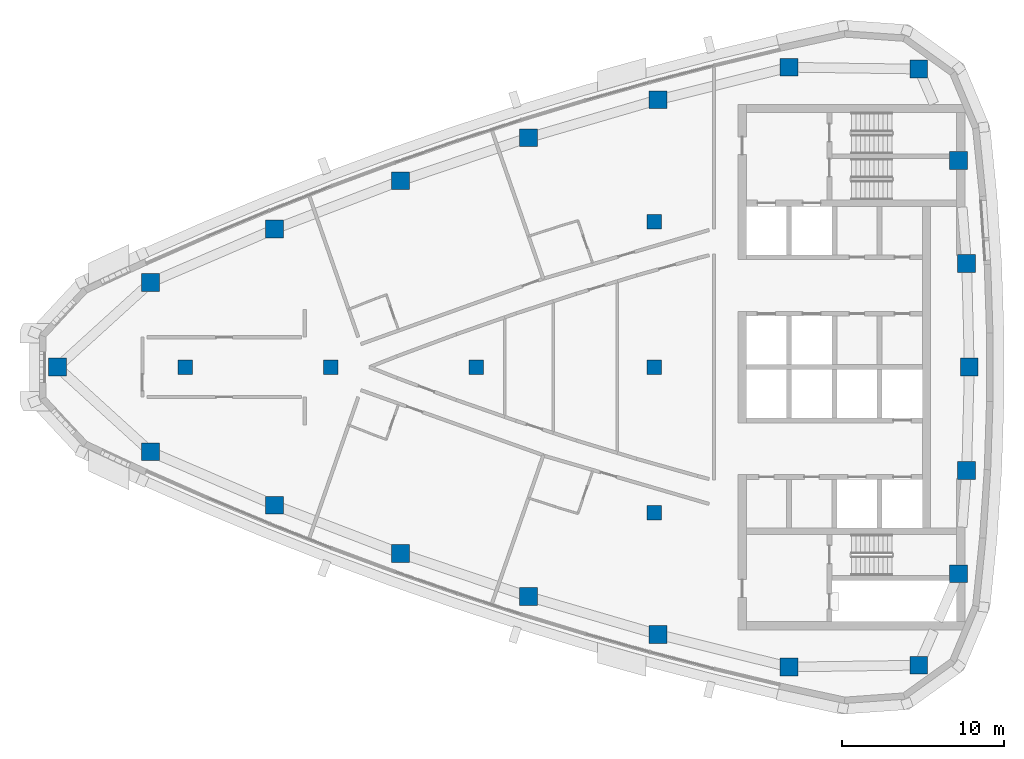
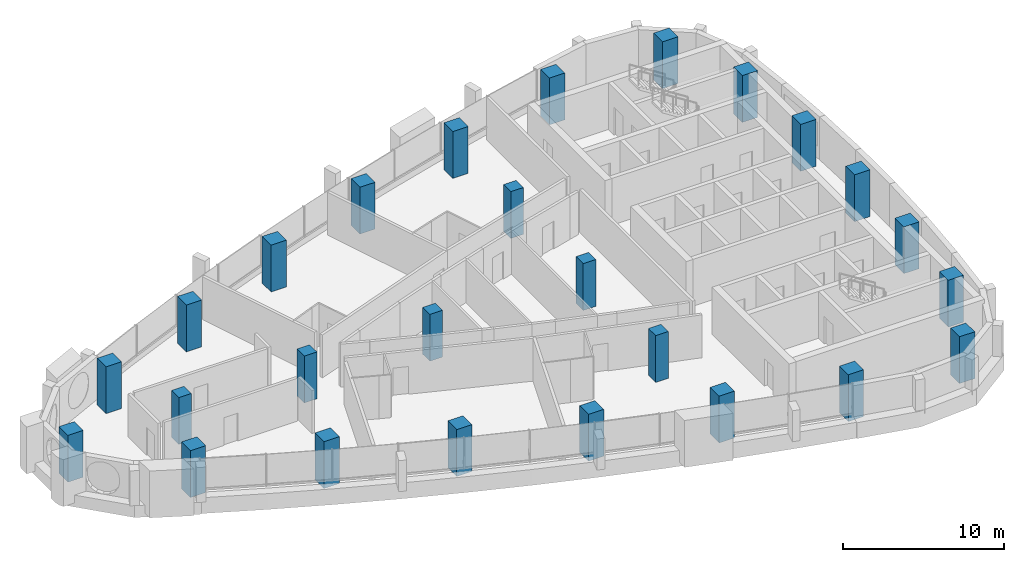
# One storey, part 1 of 14: 26 columns.
"""IFC4 building model written with IfcOpenShell, lengths in metres."""

from ifc_helpers import new_model, si_unit, direction, frame, origin, origin_2d, place, context, subcontext, project, spatial, rectangle, extrude, material, material_profile, profile_set, type_object, element, save


model = new_model("IFC4")

# Units and contexts
model_context = context("Model", 3, precision=1e-05, world=origin(), true_north=direction((0.0, 1.0)))
body_context = subcontext(model_context, "Body", "Model", "MODEL_VIEW")
ifc_project = project(units=[si_unit("LENGTHUNIT", "METRE"), si_unit("AREAUNIT", "SQUARE_METRE"), si_unit("VOLUMEUNIT", "CUBIC_METRE"), si_unit("PLANEANGLEUNIT", "RADIAN"), si_unit("MASSUNIT", "GRAM", prefix="KILO")], contexts=[model_context])

# Site, building, storey
site_placement = place(None, origin())
site = spatial("IfcSite", under=ifc_project, at=site_placement, CompositionType="ELEMENT")
building_placement = place(site_placement, origin())
building = spatial("IfcBuilding", under=site, at=building_placement, Name="Ostrand Prow Hotel Tower", CompositionType="ELEMENT")
storey_placement = place(building_placement, frame((0.0, 0.0, 278.550048828125)))
storey = spatial("IfcBuildingStorey", under=building, at=storey_placement, Name="L70", CompositionType="ELEMENT", Elevation=278.550048828125)

# Columns
ifc_material_1 = material(Name="Concrete C50/60", Category="concrete")
ifc_material_profile_1 = material_profile(ifc_material_1, rectangle(XDim=0.89990234375, YDim=0.89990234375, at=origin_2d()), Name="RC 900x900")
ifc_profile_set_1 = profile_set([ifc_material_profile_1], Name="Concrete C50/60")
column_type_1 = type_object("IfcColumnType", Name="Interior column 900x900 C50/60", PredefinedType="COLUMN", material=ifc_profile_set_1)
for number, where, z_axis, x_axis, name in (
    (1, (16.0, 0.0, 0.0), (0.0, 0.0, 1.0), (1.0, 0.0, 0.0), "Interior column 16C0"),
    (2, (25.0, 0.0, 0.0), (0.0, 0.0, 1.0), (1.0, 0.0, 0.0), "Interior column 25C0"),
    (3, (34.0, 0.0, 0.0), (0.0, 0.0, 1.0), (1.0, 0.0, 0.0), "Interior column 34C0"),
    (4, (45.0, -9.0, 0.0), (0.0, 0.0, 1.0), (1.0, 0.0, 0.0), "Interior column 45S9"),
    (5, (45.0, 0.0, 0.0), (0.0, 0.0, 1.0), (1.0, 0.0, 0.0), "Interior column 45C0"),
    (6, (45.0, 9.0, 0.0), (0.0, 0.0, 1.0), (1.0, 0.0, 0.0), "Interior column 45N9"),
):
    element("IfcColumn", number, at=place(storey_placement, frame(where, z_axis=z_axis, x_axis=x_axis)), inside=storey, type_object=column_type_1, Name=name, PredefinedType="COLUMN", context=body_context, shape_type="SweptSolid", body=[
        extrude(rectangle(XDim=0.89990234375, YDim=0.89990234375, at=origin_2d()), origin(), (0.0, 0.0, 1.0), 3.550048828125),
    ])
ifc_material_2 = material(Name="Concrete C50/60", Category="concrete")
ifc_material_profile_2 = material_profile(ifc_material_2, rectangle(XDim=1.10009765625, YDim=1.10009765625, at=origin_2d()), Name="RC 1100x1100")
ifc_profile_set_2 = profile_set([ifc_material_profile_2], Name="Concrete C50/60")
column_type_2 = type_object("IfcColumnType", Name="Stone-faced mega column 1100x1100 C50/60", PredefinedType="COLUMN", material=ifc_profile_set_2)
for number, where, z_axis, x_axis, name in (
    (7, (8.082763671875, 0.0, 0.0), (0.0, 0.0, 1.0), (1.0, 0.0, 0.0), "Mega column P"),
    (8, (13.846435546875, -5.23681640625, 0.0), (0.0, 0.0, 1.0), (1.0, 0.0, 0.0), "Mega column S1"),
    (9, (21.51416015625, -8.5400390625, 0.0), (0.0, 0.0, 1.0), (1.0, 0.0, 0.0), "Mega column S2"),
    (10, (29.31005859375, -11.528076171875, 0.0), (0.0, 0.0, 1.0), (1.0, 0.0, 0.0), "Mega column S3"),
    (11, (37.22119140625, -14.19580078125, 0.0), (0.0, 0.0, 1.0), (1.0, 0.0, 0.0), "Mega column S4"),
    (12, (45.234619140625, -16.53857421875, 0.0), (0.0, 0.0, 1.0), (1.0, 0.0, 0.0), "Mega column S5"),
    (13, (53.3369140625, -18.552978515625, 0.0), (0.0, 0.0, 1.0), (1.0, 0.0, 0.0), "Mega column S6"),
    (14, (61.374267578125, -18.439697265625, 0.0), (0.0, 0.0, 1.0), (1.0, 0.0, 0.0), "Mega column SE"),
    (15, (63.831787109375, -12.7890625, 0.0), (0.0, 0.0, 1.0), (1.0, 0.0, 0.0), "Mega column B1"),
    (16, (64.332763671875, -6.4033203125, 0.0), (0.0, 0.0, 1.0), (1.0, 0.0, 0.0), "Mega column B2"),
    (17, (64.5, 0.0, 0.0), (0.0, 0.0, 1.0), (1.0, 0.0, 0.0), "Mega column B3"),
    (18, (64.332763671875, 6.4033203125, 0.0), (0.0, 0.0, 1.0), (1.0, 0.0, 0.0), "Mega column B4"),
    (19, (63.831787109375, 12.7890625, 0.0), (0.0, 0.0, 1.0), (1.0, 0.0, 0.0), "Mega column B5"),
    (20, (61.374267578125, 18.439697265625, 0.0), (0.0, 0.0, 1.0), (1.0, 0.0, 0.0), "Mega column NE"),
    (21, (53.3369140625, 18.552978515625, 0.0), (0.0, 0.0, 1.0), (1.0, 0.0, 0.0), "Mega column N1"),
    (22, (45.234619140625, 16.53857421875, 0.0), (0.0, 0.0, 1.0), (1.0, 0.0, 0.0), "Mega column N2"),
    (23, (37.22119140625, 14.19580078125, 0.0), (0.0, 0.0, 1.0), (1.0, 0.0, 0.0), "Mega column N3"),
    (24, (29.31005859375, 11.528076171875, 0.0), (0.0, 0.0, 1.0), (1.0, 0.0, 0.0), "Mega column N4"),
    (25, (21.51416015625, 8.5400390625, 0.0), (0.0, 0.0, 1.0), (1.0, 0.0, 0.0), "Mega column N5"),
    (26, (13.846435546875, 5.23681640625, 0.0), (0.0, 0.0, 1.0), (1.0, 0.0, 0.0), "Mega column N6"),
):
    element("IfcColumn", number, at=place(storey_placement, frame(where, z_axis=z_axis, x_axis=x_axis)), inside=storey, type_object=column_type_2, Name=name, PredefinedType="COLUMN", context=body_context, shape_type="SweptSolid", body=[
        extrude(rectangle(XDim=1.10009765625, YDim=1.10009765625, at=origin_2d()), origin(), (0.0, 0.0, 1.0), 3.550048828125),
    ])

save(model, "model.ifc")
